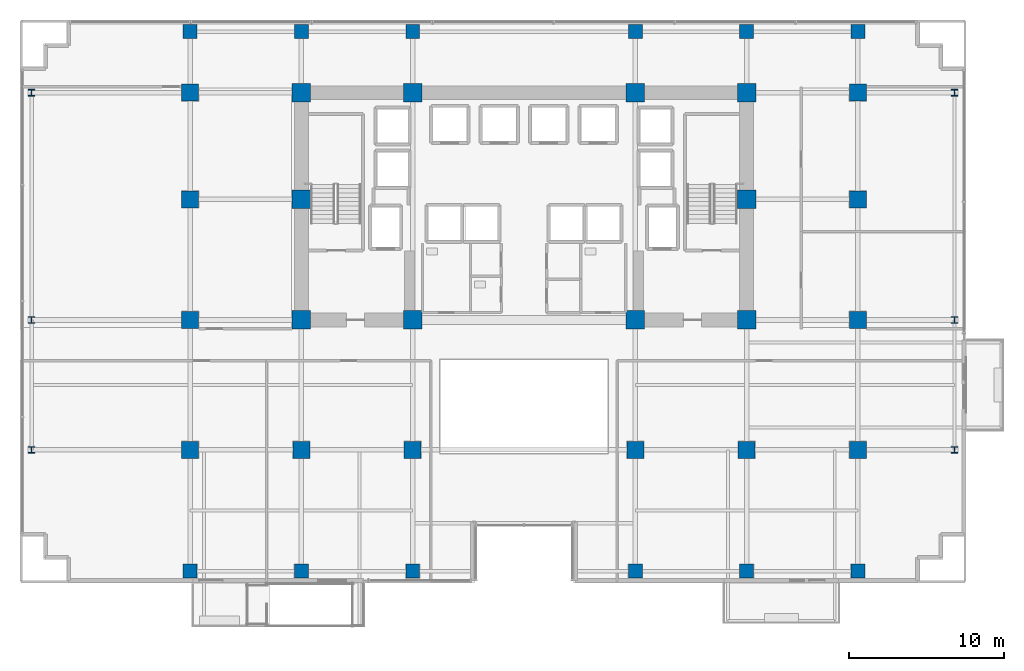
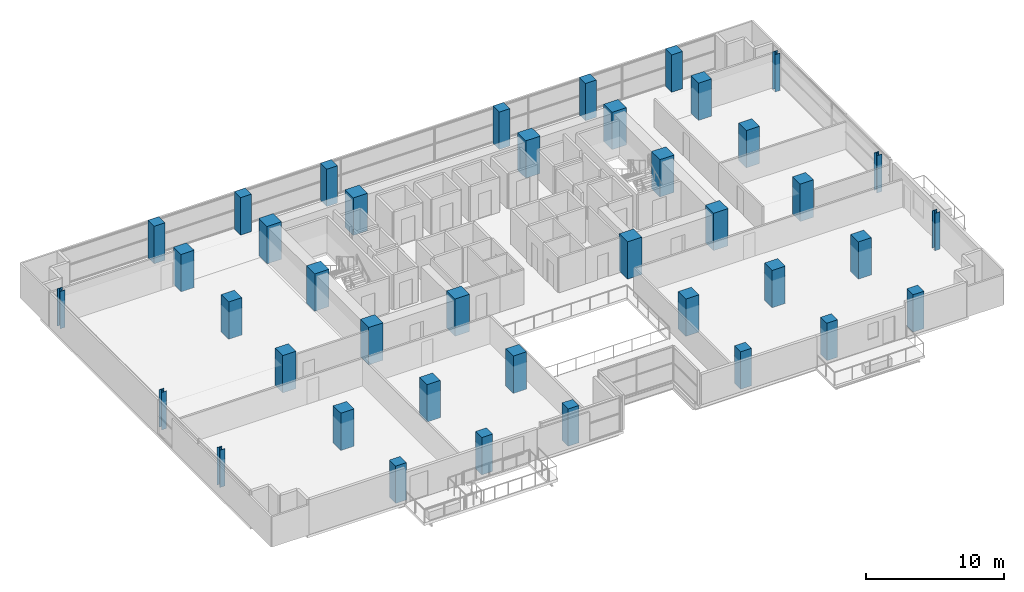
# One storey, part 1 of 30: 40 columns.
"""IFC4 building model written with IfcOpenShell, lengths in metres."""

import ifcopenshell
import ifcopenshell.guid

model = None  # the IFC model being written
_history = None  # IfcOwnerHistory: only IFC2X3 demands one
_inside = {}  # id of a spatial element -> (the spatial element, [elements in it])
_under = {}  # id of a project, library or spatial element -> (it, [spatial elements below it])
_declared = {}  # id of a project -> (the project, [libraries it declares])
_typed = {}  # id of a type object -> (the type object, [elements of that type])
_made_of = {}  # id of a material, layer set ... -> (it, [elements and type objects made of it])


def new_model(schema):
    """Start an empty IFC model of exactly this schema.

    Asked for "IFC4X3", IfcOpenShell would pick the latest addendum, in which some entities
    have other attributes; the version numbers below select the first issue.
    IFC2X3 requires an IfcOwnerHistory on every rooted entity: one is made here for all.
    """
    global model, _history
    if schema == "IFC4X3":
        model = ifcopenshell.file(schema_version=(4, 3, 0, 0))
    else:
        model = ifcopenshell.file(schema=schema)
    _inside.clear()
    _under.clear()
    _declared.clear()
    _typed.clear()
    _made_of.clear()
    _history = None
    if model.schema == "IFC2X3":
        org = make("IfcOrganization", Name="unknown")
        user = make(
            "IfcPersonAndOrganization",
            ThePerson=make("IfcPerson", FamilyName="unknown"),
            TheOrganization=org,
        )
        app = make(
            "IfcApplication",
            ApplicationDeveloper=org,
            Version="unknown",
            ApplicationFullName="unknown",
            ApplicationIdentifier="unknown",
        )
        _history = make(
            "IfcOwnerHistory",
            OwningUser=user,
            OwningApplication=app,
            ChangeAction="ADDED",
            CreationDate=0,
        )
    return model


def make(cls, **values):
    """One entity of the class cls with the attributes given. An attribute that is None is left unset."""
    return model.create_entity(
        cls, **{name: value for name, value in values.items() if value is not None}
    )


def rooted(cls, **values):
    """An entity with a GlobalId (a new one), such as an element, a storey or a relation."""
    return make(cls, GlobalId=ifcopenshell.guid.new(), OwnerHistory=_history, **values)


def si_unit(unit_type, name, prefix=None):
    """IfcSIUnit, for example si_unit("LENGTHUNIT", "METRE", prefix="MILLI")."""
    return make("IfcSIUnit", UnitType=unit_type, Prefix=prefix, Name=name)


def assignment(units):
    """IfcUnitAssignment: the units of a project."""
    return None if units is None else make("IfcUnitAssignment", Units=units)


def point(xyz):
    """IfcCartesianPoint."""
    return None if xyz is None else make("IfcCartesianPoint", Coordinates=xyz)


def direction(xyz):
    """IfcDirection."""
    return None if xyz is None else make("IfcDirection", DirectionRatios=xyz)


def frame(location, z_axis=None, x_axis=None):
    """IfcAxis2Placement3D, a coordinate frame: its origin and axes. An axis left out is left unset."""
    return make(
        "IfcAxis2Placement3D",
        Location=point(location),
        Axis=direction(z_axis),
        RefDirection=direction(x_axis),
    )


def frame_2d(location, x_axis=None):
    """IfcAxis2Placement2D, a coordinate frame in the plane: its origin and x axis."""
    return make(
        "IfcAxis2Placement2D", Location=point(location), RefDirection=direction(x_axis)
    )


def origin():
    """The frame at (0, 0, 0) with its axes left unset."""
    return frame((0.0, 0.0, 0.0))


def origin_2d():
    """The frame at (0, 0) in the plane with its x axis left unset."""
    return frame_2d((0.0, 0.0))


def place(relative_to, where):
    """IfcLocalPlacement: puts the frame where relative to a parent placement (None: the world)."""
    return make(
        "IfcLocalPlacement", PlacementRelTo=relative_to, RelativePlacement=where
    )


def context(
    kind, dimensions, precision=None, world=None, true_north=None, identifier=None
):
    """IfcGeometricRepresentationContext, for example the 3D "Model" context."""
    return make(
        "IfcGeometricRepresentationContext",
        ContextIdentifier=identifier,
        ContextType=kind,
        CoordinateSpaceDimension=dimensions,
        Precision=precision,
        WorldCoordinateSystem=world,
        TrueNorth=true_north,
    )


def subcontext(parent, identifier, kind, view, scale=None):
    """IfcGeometricRepresentationSubContext, for example "Body" below "Model"."""
    return make(
        "IfcGeometricRepresentationSubContext",
        ContextIdentifier=identifier,
        ContextType=kind,
        ParentContext=parent,
        TargetScale=scale,
        TargetView=view,
    )


def project(units=None, contexts=None):
    """IfcProject with its units and contexts."""
    return rooted(
        "IfcProject",
        Name="project",
        RepresentationContexts=contexts,
        UnitsInContext=assignment(units),
    )


def spatial(cls, under=None, at=None, **own):
    """A site, building, storey or space (cls), placed at a placement, below another one or the project."""
    s = rooted(cls, ObjectPlacement=at, **own)
    if under is not None:
        _under.setdefault(under.id(), (under, []))[1].append(s)
    return s


def profile(cls, at=None, kind="AREA", **sizes):
    """A parametric profile (cls). Its sizes go by their IFC names, for example OverallWidth=200.0."""
    return make(cls, ProfileType=kind, Position=at, **sizes)


def rectangle(**sizes):
    """IfcRectangleProfileDef."""
    return profile("IfcRectangleProfileDef", **sizes)


def i_section(**sizes):
    """IfcIShapeProfileDef."""
    return profile("IfcIShapeProfileDef", **sizes)


def extrude(swept, where, along, depth):
    """IfcExtrudedAreaSolid: the profile swept, set in the frame where, extruded along a direction by depth."""
    return make(
        "IfcExtrudedAreaSolid",
        SweptArea=swept,
        Position=where,
        ExtrudedDirection=direction(along),
        Depth=depth,
    )


def shape(context_of_items, identifier, shape_type, items):
    """IfcShapeRepresentation: the items that make up one representation, for example the "Body"."""
    return make(
        "IfcShapeRepresentation",
        ContextOfItems=context_of_items,
        RepresentationIdentifier=identifier,
        RepresentationType=shape_type,
        Items=items,
    )


def material(Name=None, Category=None):
    """IfcMaterial."""
    return make("IfcMaterial", Name=Name, Category=Category)


def material_profile(
    of_material, cross_section, Name=None, Category=None, Priority=None
):
    """IfcMaterialProfile: a cross section and its material."""
    return make(
        "IfcMaterialProfile",
        Name=Name,
        Material=of_material,
        Profile=cross_section,
        Priority=Priority,
        Category=Category,
    )


def profile_set(profiles, Name=None, composite=None):
    """IfcMaterialProfileSet."""
    return make(
        "IfcMaterialProfileSet",
        Name=Name,
        MaterialProfiles=profiles,
        CompositeProfile=composite,
    )


def made_of(thing, what):
    """Note that an element or type object is made of a material, layer set ...; save() writes the relation."""
    if what is not None:
        _made_of.setdefault(what.id(), (what, []))[1].append(thing)
    return thing


def type_object(cls, material=None, **own):
    """A type object (cls), such as IfcWallType, which elements share."""
    return made_of(rooted(cls, **own), material)


def element(
    cls,
    number,
    at=None,
    inside=None,
    cuts=None,
    type_object=None,
    material=None,
    context=None,
    identifier="Body",
    shape_type=None,
    held_by="IfcProductDefinitionShape",
    body=None,
    shapes=None,
    **own,
):
    """One element of the class cls, such as IfcWall. Its Tag is "e" and its number.

    at: its placement. inside: the storey or other place that contains it. cuts: it is an
    opening in that element (IfcRelVoidsElement). A single representation is given by context,
    identifier, shape_type and body (its items); several are given by shapes. held_by: the class
    of the entity that holds the representations. save() writes the other relations.
    """
    e = rooted(cls, Tag="e%d" % number, ObjectPlacement=at, **own)
    if body is not None:
        shapes = [shape(context, identifier, shape_type, body)]
    if shapes is not None:
        e.Representation = make(held_by, Representations=shapes)
    if inside is not None:
        _inside.setdefault(inside.id(), (inside, []))[1].append(e)
    if cuts is not None:
        rooted(
            "IfcRelVoidsElement", RelatingBuildingElement=cuts, RelatedOpeningElement=e
        )
    if type_object is not None:
        _typed.setdefault(type_object.id(), (type_object, []))[1].append(e)
    return made_of(e, material)


def aggregate(whole, parts):
    """IfcRelAggregates: a whole, such as a stair, and the parts it consists of."""
    return rooted("IfcRelAggregates", RelatingObject=whole, RelatedObjects=parts)


def save(model, path):
    """Write the relations noted so far, then the file.

    IfcRelAggregates (storeys below a building ...), IfcRelContainedInSpatialStructure (elements
    in a storey), IfcRelDefinesByType, IfcRelAssociatesMaterial and IfcRelDeclares: one each for
    every whole, place, type object, material and project.
    """
    for whole, parts in _under.values():
        aggregate(whole, parts)
    for where, things in _inside.values():
        rooted(
            "IfcRelContainedInSpatialStructure",
            RelatedElements=things,
            RelatingStructure=where,
        )
    for kind, things in _typed.values():
        rooted("IfcRelDefinesByType", RelatedObjects=things, RelatingType=kind)
    for what, things in _made_of.values():
        rooted("IfcRelAssociatesMaterial", RelatedObjects=things, RelatingMaterial=what)
    for by, libraries in _declared.values():
        rooted("IfcRelDeclares", RelatingContext=by, RelatedDefinitions=libraries)
    model.write(path)


model = new_model("IFC4")

# Units and contexts
model_context = context("Model", 3, precision=1e-05, world=origin(), true_north=direction((0.0, 1.0)))
body_context = subcontext(model_context, "Body", "Model", "MODEL_VIEW")
ifc_project = project(units=[si_unit("LENGTHUNIT", "METRE"), si_unit("AREAUNIT", "SQUARE_METRE"), si_unit("VOLUMEUNIT", "CUBIC_METRE"), si_unit("PLANEANGLEUNIT", "RADIAN"), si_unit("MASSUNIT", "GRAM", prefix="KILO")], contexts=[model_context])

# Site, building, storey
site_placement = place(None, origin())
site = spatial("IfcSite", under=ifc_project, at=site_placement, CompositionType="ELEMENT")
building_placement = place(site_placement, origin())
building = spatial("IfcBuilding", under=site, at=building_placement, Name="Zarnakvel Exchange Tower", CompositionType="ELEMENT")
storey_placement = place(building_placement, frame((0.0, 0.0, 30.699951171875)))
storey = spatial("IfcBuildingStorey", under=building, at=storey_placement, Name="L07", CompositionType="ELEMENT", Elevation=30.699951171875)

# Columns
ifc_material_1 = material(Name="Concrete C80/95", Category="concrete")
ifc_material_profile_1 = material_profile(ifc_material_1, rectangle(XDim=1.199951171875, YDim=1.199951171875, at=origin_2d()))
ifc_profile_set_1 = profile_set([ifc_material_profile_1], Name="Concrete C80/95")
column_type_1 = type_object("IfcColumnType", Name="CC-01", PredefinedType="COLUMN", material=ifc_profile_set_1)
for number, where, z_axis, x_axis, name in (
    (1, (-14.39990234375, -1.199951171875, 0.0), (0.0, 0.0, 1.0), (1.0, 0.0, 0.0), "L07 Column C-4D (CC-01)"),
    (2, (-7.199951171875, -1.199951171875, 0.0), (0.0, 0.0, 1.0), (1.0, 0.0, 0.0), "L07 Column C-5D (CC-01)"),
    (3, (7.199951171875, -1.199951171875, 0.0), (0.0, 0.0, 1.0), (1.0, 0.0, 0.0), "L07 Column C-8D (CC-01)"),
    (4, (14.39990234375, -1.199951171875, 0.0), (0.0, 0.0, 1.0), (1.0, 0.0, 0.0), "L07 Column C-9D (CC-01)"),
    (5, (-14.39990234375, 6.60009765625, 0.0), (0.0, 0.0, 1.0), (1.0, 0.0, 0.0), "L07 Column C-4E (CC-01)"),
    (6, (14.39990234375, 6.60009765625, 0.0), (0.0, 0.0, 1.0), (1.0, 0.0, 0.0), "L07 Column C-9E (CC-01)"),
    (7, (-14.39990234375, 13.5, 0.0), (0.0, 0.0, 1.0), (1.0, 0.0, 0.0), "L07 Column C-4F (CC-01)"),
    (8, (-7.199951171875, 13.5, 0.0), (0.0, 0.0, 1.0), (1.0, 0.0, 0.0), "L07 Column C-5F (CC-01)"),
    (9, (7.199951171875, 13.5, 0.0), (0.0, 0.0, 1.0), (1.0, 0.0, 0.0), "L07 Column C-8F (CC-01)"),
    (10, (14.39990234375, 13.5, 0.0), (0.0, 0.0, 1.0), (1.0, 0.0, 0.0), "L07 Column C-9F (CC-01)"),
):
    element("IfcColumn", number, at=place(storey_placement, frame(where, z_axis=z_axis, x_axis=x_axis)), inside=storey, type_object=column_type_1, Name=name, PredefinedType="COLUMN", context=body_context, shape_type="SweptSolid", body=[
        extrude(rectangle(XDim=1.199951171875, YDim=1.199951171875, at=origin_2d()), origin(), (0.0, 0.0, 1.0), 3.300048828125),
    ])
ifc_material_2 = material(Name="Steel S355", Category="steel")
ifc_material_profile_2 = material_profile(ifc_material_2, i_section(OverallWidth=0.412109375, OverallDepth=0.425048828125, WebThickness=0.02587890625, FlangeThickness=0.0390625, FilletRadius=0.014892578125, at=origin_2d()))
ifc_profile_set_2 = profile_set([ifc_material_profile_2], Name="Steel S355")
column_type_2 = type_object("IfcColumnType", Name="SC-01", PredefinedType="COLUMN", material=ifc_profile_set_2)
for number, where, z_axis, x_axis, name in (
    (11, (-31.85009765625, -9.60009765625, 0.0), (0.0, 0.0, 1.0), (1.0, 0.0, 0.0), "L07 Column TW-C (SC-01)"),
    (12, (27.85009765625, -9.60009765625, 0.0), (0.0, 0.0, 1.0), (1.0, 0.0, 0.0), "L07 Column TE-C (SC-01)"),
    (13, (-31.85009765625, -1.199951171875, 0.0), (0.0, 0.0, 1.0), (1.0, 0.0, 0.0), "L07 Column TW-D (SC-01)"),
    (14, (27.85009765625, -1.199951171875, 0.0), (0.0, 0.0, 1.0), (1.0, 0.0, 0.0), "L07 Column TE-D (SC-01)"),
    (15, (-31.85009765625, 13.5, 0.0), (0.0, 0.0, 1.0), (1.0, 0.0, 0.0), "L07 Column TW-F (SC-01)"),
    (16, (27.85009765625, 13.5, 0.0), (0.0, 0.0, 1.0), (1.0, 0.0, 0.0), "L07 Column TE-F (SC-01)"),
):
    element("IfcColumn", number, at=place(storey_placement, frame(where, z_axis=z_axis, x_axis=x_axis)), inside=storey, type_object=column_type_2, Name=name, PredefinedType="COLUMN", context=body_context, shape_type="SweptSolid", body=[
        extrude(i_section(OverallWidth=0.412109375, OverallDepth=0.425048828125, WebThickness=0.02587890625, FlangeThickness=0.0390625, FilletRadius=0.014892578125, at=origin_2d()), origin(), (0.0, 0.0, 1.0), 3.300048828125),
    ])
ifc_material_profile_3 = material_profile(ifc_material_1, rectangle(XDim=1.10009765625, YDim=1.10009765625, at=origin_2d()))
ifc_profile_set_3 = profile_set([ifc_material_profile_3], Name="Concrete C80/95")
column_type_3 = type_object("IfcColumnType", Name="TC-01", PredefinedType="COLUMN", material=ifc_profile_set_3)
for number, where, z_axis, x_axis, name in (
    (17, (-14.39990234375, -9.60009765625, 0.0), (0.0, 0.0, 1.0), (1.0, 0.0, 0.0), "L07 Column T-4C (TC-01)"),
    (18, (-7.199951171875, -9.60009765625, 0.0), (0.0, 0.0, 1.0), (1.0, 0.0, 0.0), "L07 Column T-5C (TC-01)"),
    (19, (7.199951171875, -9.60009765625, 0.0), (0.0, 0.0, 1.0), (1.0, 0.0, 0.0), "L07 Column T-8C (TC-01)"),
    (20, (14.39990234375, -9.60009765625, 0.0), (0.0, 0.0, 1.0), (1.0, 0.0, 0.0), "L07 Column T-9C (TC-01)"),
    (21, (-21.60009765625, -9.60009765625, 0.0), (0.0, 0.0, 1.0), (1.0, 0.0, 0.0), "L07 Column T-3C (TC-01)"),
    (22, (-21.60009765625, -1.199951171875, 0.0), (0.0, 0.0, 1.0), (1.0, 0.0, 0.0), "L07 Column T-3D (TC-01)"),
    (23, (-21.60009765625, 6.60009765625, 0.0), (0.0, 0.0, 1.0), (1.0, 0.0, 0.0), "L07 Column T-3E (TC-01)"),
    (24, (-21.60009765625, 13.5, 0.0), (0.0, 0.0, 1.0), (1.0, 0.0, 0.0), "L07 Column T-3F (TC-01)"),
    (25, (21.60009765625, -9.60009765625, 0.0), (0.0, 0.0, 1.0), (1.0, 0.0, 0.0), "L07 Column T-10C (TC-01)"),
    (26, (21.60009765625, -1.199951171875, 0.0), (0.0, 0.0, 1.0), (1.0, 0.0, 0.0), "L07 Column T-10D (TC-01)"),
    (27, (21.60009765625, 6.60009765625, 0.0), (0.0, 0.0, 1.0), (1.0, 0.0, 0.0), "L07 Column T-10E (TC-01)"),
    (28, (21.60009765625, 13.5, 0.0), (0.0, 0.0, 1.0), (1.0, 0.0, 0.0), "L07 Column T-10F (TC-01)"),
):
    element("IfcColumn", number, at=place(storey_placement, frame(where, z_axis=z_axis, x_axis=x_axis)), inside=storey, type_object=column_type_3, Name=name, PredefinedType="COLUMN", context=body_context, shape_type="SweptSolid", body=[
        extrude(rectangle(XDim=1.10009765625, YDim=1.10009765625, at=origin_2d()), origin(), (0.0, 0.0, 1.0), 3.300048828125),
    ])
ifc_material_3 = material(Name="Concrete C60/75", Category="concrete")
ifc_material_profile_4 = material_profile(ifc_material_3, rectangle(XDim=0.89990234375, YDim=0.89990234375, at=origin_2d()))
ifc_profile_set_4 = profile_set([ifc_material_profile_4], Name="Concrete C60/75")
column_type_4 = type_object("IfcColumnType", Name="TC-02", PredefinedType="COLUMN", material=ifc_profile_set_4)
for number, where, z_axis, x_axis, name in (
    (29, (-14.39990234375, -17.449951171875, 0.0), (0.0, 0.0, 1.0), (1.0, 0.0, 0.0), "L07 Column TS-4 (TC-02)"),
    (30, (-14.39990234375, 17.449951171875, 0.0), (0.0, 0.0, 1.0), (1.0, 0.0, 0.0), "L07 Column TN-4 (TC-02)"),
    (31, (-7.199951171875, -17.449951171875, 0.0), (0.0, 0.0, 1.0), (1.0, 0.0, 0.0), "L07 Column TS-5 (TC-02)"),
    (32, (-7.199951171875, 17.449951171875, 0.0), (0.0, 0.0, 1.0), (1.0, 0.0, 0.0), "L07 Column TN-5 (TC-02)"),
    (33, (7.199951171875, -17.449951171875, 0.0), (0.0, 0.0, 1.0), (1.0, 0.0, 0.0), "L07 Column TS-8 (TC-02)"),
    (34, (7.199951171875, 17.449951171875, 0.0), (0.0, 0.0, 1.0), (1.0, 0.0, 0.0), "L07 Column TN-8 (TC-02)"),
    (35, (14.39990234375, -17.449951171875, 0.0), (0.0, 0.0, 1.0), (1.0, 0.0, 0.0), "L07 Column TS-9 (TC-02)"),
    (36, (14.39990234375, 17.449951171875, 0.0), (0.0, 0.0, 1.0), (1.0, 0.0, 0.0), "L07 Column TN-9 (TC-02)"),
    (37, (-21.60009765625, -17.449951171875, 0.0), (0.0, 0.0, 1.0), (1.0, 0.0, 0.0), "L07 Column TS-3 (TC-02)"),
    (38, (-21.60009765625, 17.449951171875, 0.0), (0.0, 0.0, 1.0), (1.0, 0.0, 0.0), "L07 Column TN-3 (TC-02)"),
    (39, (21.60009765625, -17.449951171875, 0.0), (0.0, 0.0, 1.0), (1.0, 0.0, 0.0), "L07 Column TS-10 (TC-02)"),
    (40, (21.60009765625, 17.449951171875, 0.0), (0.0, 0.0, 1.0), (1.0, 0.0, 0.0), "L07 Column TN-10 (TC-02)"),
):
    element("IfcColumn", number, at=place(storey_placement, frame(where, z_axis=z_axis, x_axis=x_axis)), inside=storey, type_object=column_type_4, Name=name, PredefinedType="COLUMN", context=body_context, shape_type="SweptSolid", body=[
        extrude(rectangle(XDim=0.89990234375, YDim=0.89990234375, at=origin_2d()), origin(), (0.0, 0.0, 1.0), 3.300048828125),
    ])

save(model, "model.ifc")
